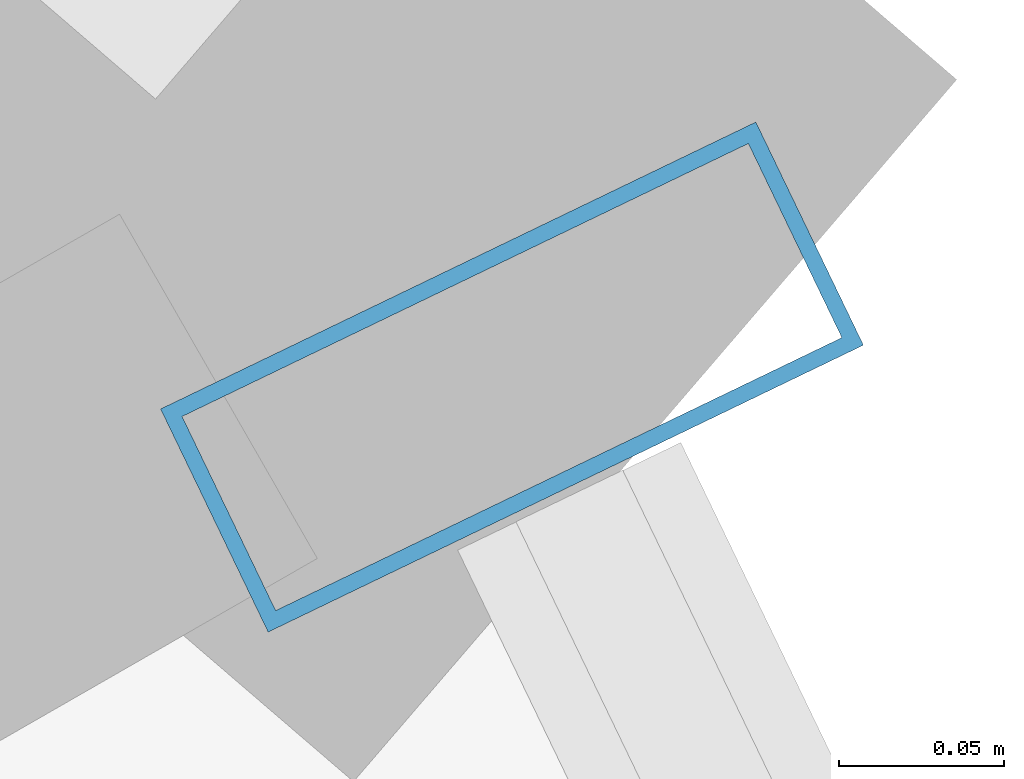
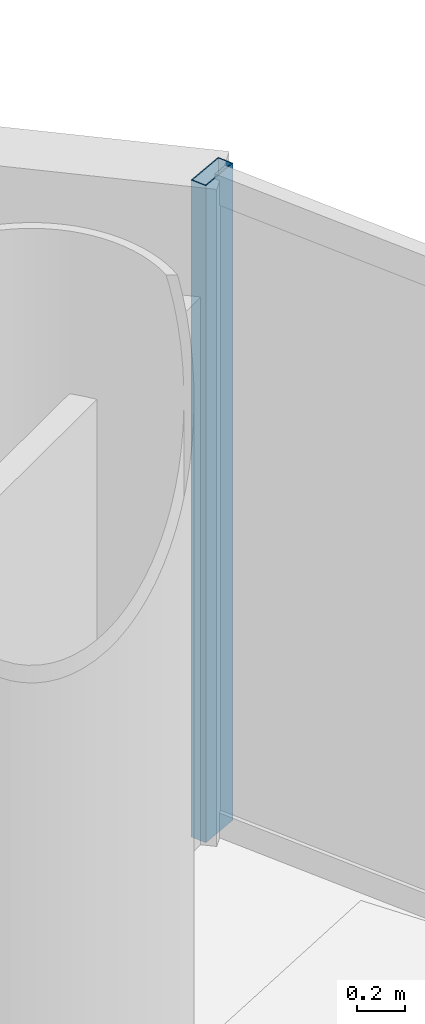
# One storey, part 18 of 26: 1 member, 1 element without a shape of its own.
"""IFC4 building model written with IfcOpenShell, lengths in metres."""

from ifc_helpers import new_model, si_unit, direction, frame, origin, origin_2d, place, context, subcontext, project, spatial, hollow_rectangle, extrude, source, transform, mapped, material, material_profile, profile_set, type_object, element, aggregate, save


model = new_model("IFC4")

# Units and contexts
model_context = context("Model", 3, precision=1e-05, world=origin(), true_north=direction((-0.2419218956, 0.970295726276)))
body_context = subcontext(model_context, "Body", "Model", "MODEL_VIEW")
ifc_project = project(units=[si_unit("LENGTHUNIT", "METRE"), si_unit("AREAUNIT", "SQUARE_METRE"), si_unit("VOLUMEUNIT", "CUBIC_METRE"), si_unit("PLANEANGLEUNIT", "RADIAN"), si_unit("MASSUNIT", "GRAM", prefix="KILO")], contexts=[model_context])

# Site, building, storey
site_placement = place(None, origin())
site = spatial("IfcSite", under=ifc_project, at=site_placement, CompositionType="ELEMENT")
building_placement = place(site_placement, origin())
building = spatial("IfcBuilding", under=site, at=building_placement, Name="Cobrevalo Terracotta Tower", CompositionType="ELEMENT")
storey_placement = place(building_placement, frame((0.0, 0.0, 171.39990234375)))
storey = spatial("IfcBuildingStorey", under=building, at=storey_placement, Name="L45", CompositionType="ELEMENT", Elevation=171.39990234375)

# Curtain wall, member
ifc_material = material(Name="Anodized aluminium", Category="aluminium")
curtain_wall_type = type_object("IfcCurtainWallType", Name="Mid-tower high-wind unitised curtain wall CW-U2", PredefinedType="NOTDEFINED", material=ifc_material)
curtain_wall_placement = place(storey_placement, origin())
curtain_wall = element("IfcCurtainWall", 1, at=curtain_wall_placement, inside=storey, type_object=curtain_wall_type, Name="L45 curtain wall CW-L45-S01", PredefinedType="NOTDEFINED")
ifc_material_profile = material_profile(ifc_material, hollow_rectangle(XDim=0.074951171875, YDim=0.199951171875, WallThickness=0.0048828125, at=origin_2d()), Name="CWM 75x200")
ifc_profile_set = profile_set([ifc_material_profile], Name="Anodized aluminium")
member_type = type_object("IfcMemberType", Name="Lower/mid tower unitised mullion 75x200", PredefinedType="MULLION", material=ifc_profile_set)
shared_shape = source(origin(), body_context, "Body", "SweptSolid", [
    extrude(hollow_rectangle(XDim=0.074951171875, YDim=0.199951171875, WallThickness=0.0048828125, at=origin_2d()), origin(), (0.0, 0.0, 1.0), 3.330078125),
])
member_placement = place(storey_placement, frame((58.114013671875, 38.30322265625, 0.0), z_axis=(0.0, 0.0, 1.0), x_axis=(-0.434209440271, 0.900811945957, 0.0)))
member = element("IfcMember", 2, at=member_placement, type_object=member_type, Name="CW-L45-S01 vertical mullion 03", PredefinedType="MULLION", context=body_context, shape_type="MappedRepresentation", body=[
    mapped(shared_shape, transform((0.0, 0.0, 0.0), scale=1.0)),
])
aggregate(curtain_wall, [member])

save(model, "model.ifc")
